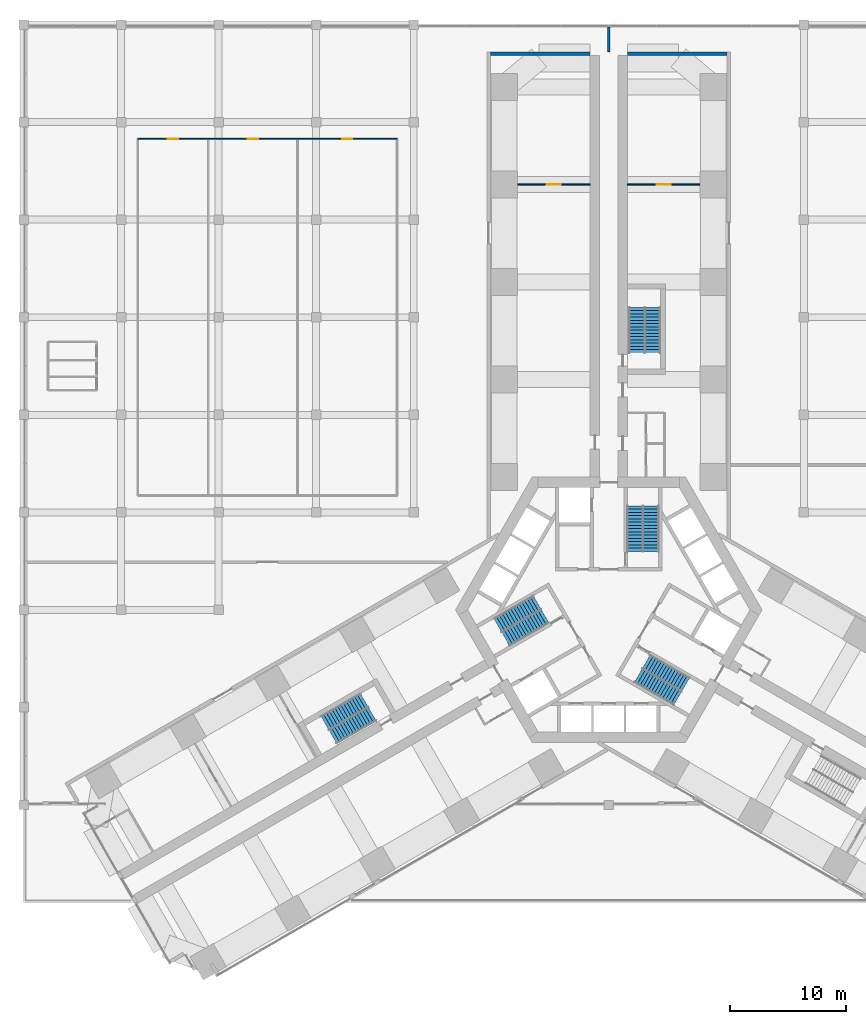
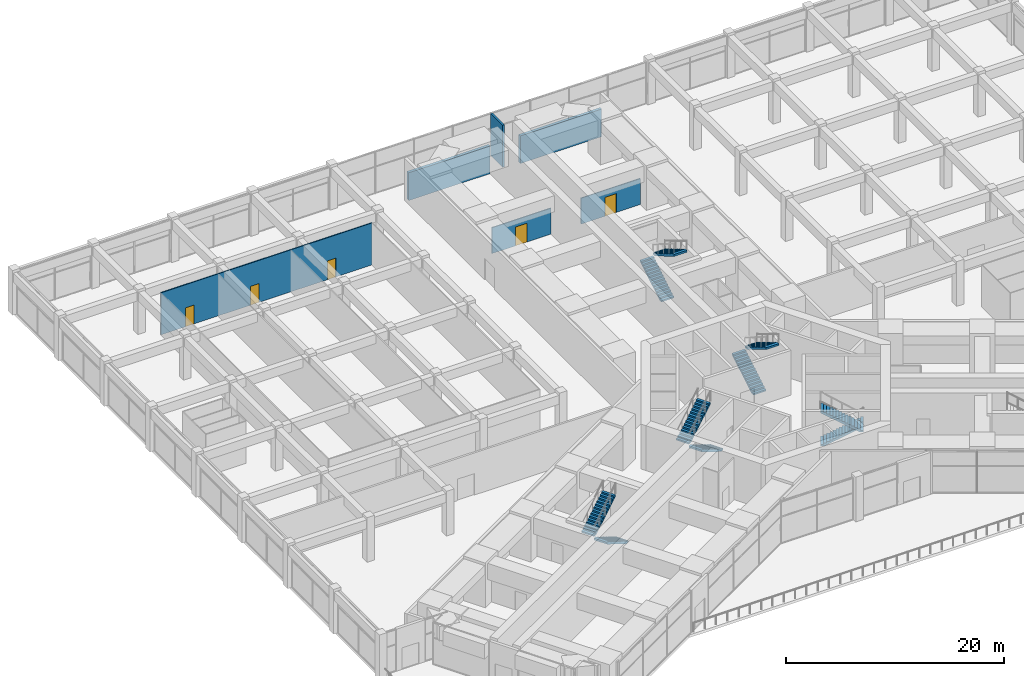
# One storey, part 32 of 34: 10 stair flights, 6 walls, 5 doors, 5 openings, 5 elements without a shape of their own.
"""IFC4 building model written with IfcOpenShell, lengths in metres."""

from ifc_helpers import new_model, si_unit, direction, frame, frame_2d, origin, place, context, subcontext, project, spatial, polyline, rectangle, outline, extrude, material, layer, layer_set, type_object, element, fill, aggregate, save


model = new_model("IFC4")

# Units and contexts
model_context = context("Model", 3, precision=1e-05, world=origin(), true_north=direction((0.0, 1.0)))
body_context = subcontext(model_context, "Body", "Model", "MODEL_VIEW")
ifc_project = project(units=[si_unit("LENGTHUNIT", "METRE"), si_unit("AREAUNIT", "SQUARE_METRE"), si_unit("VOLUMEUNIT", "CUBIC_METRE"), si_unit("PLANEANGLEUNIT", "RADIAN"), si_unit("MASSUNIT", "GRAM", prefix="KILO")], contexts=[model_context])

# Site, building, storey
site_placement = place(None, origin())
site = spatial("IfcSite", under=ifc_project, at=site_placement, CompositionType="ELEMENT")
building_placement = place(site_placement, origin())
building = spatial("IfcBuilding", under=site, at=building_placement, Name="Impinga Residences", CompositionType="ELEMENT")
storey_placement = place(building_placement, frame((0.0, 0.0, 16.0)))
storey = spatial("IfcBuildingStorey", under=building, at=storey_placement, Name="L03", CompositionType="ELEMENT", Elevation=16.0)

# Wall, opening, door
ifc_material_1 = material(Name="Concrete blockwork", Category="masonry")
ifc_layer_1 = layer(ifc_material_1, 0.10009765625)
ifc_layer_set_1 = layer_set([ifc_layer_1], Name="CP1 core room partition, blockwork 100")
wall_type_1 = type_object("IfcWallType", Name="CP1 core room partition, blockwork 100", PredefinedType="PARTITIONING", material=ifc_layer_set_1)
wall_1_placement = place(storey_placement, frame((-1.60009765625, 36.631591796875, 0.0), z_axis=(0.0, 0.0, 1.0), x_axis=(-1.0, 0.0, 0.0)))
wall_1 = element("IfcWall", 1, at=wall_1_placement, inside=storey, type_object=wall_type_1, Name="Core room partition, blockwork L03-NA1:PS1", PredefinedType="PARTITIONING", context=body_context, shape_type="SweptSolid", body=[
    extrude(rectangle(XDim=6.25, YDim=0.10009765625, at=frame_2d((3.125, 0.0))), origin(), (0.0, 0.0, 1.0), 2.89990234375),
])
opening_1_placement = place(wall_1_placement, frame((2.52490234375, 0.0, 0.0)))
opening_1 = element("IfcOpeningElement", 2, at=opening_1_placement, cuts=wall_1, Name="Opening D3", PredefinedType="OPENING", context=body_context, shape_type="SweptSolid", body=[
    extrude(rectangle(XDim=1.199951171875, YDim=2.10009765625, at=frame_2d((0.60009765625, 1.050048828125))), frame((0.0, 0.06005859375, 0.0), z_axis=(0.0, -1.0, 0.0), x_axis=(1.0, 0.0, 0.0)), (0.0, 0.0, 1.0), 0.1201171875),
])
ifc_material_2 = material(Name="Timber door set", Category="wood")
door_type_1 = type_object("IfcDoorType", Name="D3 room door, leaf and a half 1200x2100", OperationType="DOUBLE_SWING_LEFT", PredefinedType="DOOR", material=ifc_material_2)
door_1_placement = place(opening_1_placement, origin())
door_1 = element("IfcDoor", 3, at=door_1_placement, inside=storey, type_object=door_type_1, Name="Meeting room door L03-NA1", OperationType="DOUBLE_SWING_LEFT", OverallHeight=2.10009765625, OverallWidth=1.199951171875, PredefinedType="DOOR", context=body_context, shape_type="SweptSolid", body=[
    extrude(rectangle(XDim=1.199951171875, YDim=2.10009765625, at=frame_2d((0.60009765625, 1.050048828125))), frame((0.0, 0.02490234375, 0.0), z_axis=(0.0, -1.0, 0.0), x_axis=(1.0, 0.0, 0.0)), (0.0, 0.0, 1.0), 0.050048828125),
])
fill(opening_1, door_1)

wall_2_placement = place(storey_placement, frame((1.60009765625, 36.631591796875, 0.0), z_axis=(0.0, 0.0, 1.0), x_axis=(1.0, 0.0, 0.0)))
wall_2 = element("IfcWall", 4, at=wall_2_placement, inside=storey, type_object=wall_type_1, Name="Core room partition, blockwork L03-NF1:PS1", PredefinedType="PARTITIONING", context=body_context, shape_type="SweptSolid", body=[
    extrude(rectangle(XDim=6.25, YDim=0.10009765625, at=frame_2d((3.125, 0.0))), origin(), (0.0, 0.0, 1.0), 2.89990234375),
])
opening_2_placement = place(wall_2_placement, frame((2.52490234375, 0.0, 0.0)))
opening_2 = element("IfcOpeningElement", 5, at=opening_2_placement, cuts=wall_2, Name="Opening D3", PredefinedType="OPENING", context=body_context, shape_type="SweptSolid", body=[
    extrude(rectangle(XDim=1.199951171875, YDim=2.10009765625, at=frame_2d((0.60009765625, 1.050048828125))), frame((0.0, 0.06005859375, 0.0), z_axis=(0.0, -1.0, 0.0), x_axis=(1.0, 0.0, 0.0)), (0.0, 0.0, 1.0), 0.1201171875),
])
door_2_placement = place(opening_2_placement, origin())
door_2 = element("IfcDoor", 6, at=door_2_placement, inside=storey, type_object=door_type_1, Name="Music room door L03-NF1", OperationType="DOUBLE_SWING_LEFT", OverallHeight=2.10009765625, OverallWidth=1.199951171875, PredefinedType="DOOR", context=body_context, shape_type="SweptSolid", body=[
    extrude(rectangle(XDim=1.199951171875, YDim=2.10009765625, at=frame_2d((0.60009765625, 1.050048828125))), frame((0.0, 0.02490234375, 0.0), z_axis=(0.0, -1.0, 0.0), x_axis=(1.0, 0.0, 0.0)), (0.0, 0.0, 1.0), 0.050048828125),
])
fill(opening_2, door_2)

# Wall, openings, doors
ifc_material_3 = material(Name="Gypsum board on steel studs", Category="steel")
ifc_layer_2 = layer(ifc_material_3, 0.10009765625)
ifc_layer_set_2 = layer_set([ifc_layer_2], Name="Gypsum board on steel studs")
wall_type_2 = type_object("IfcWallType", Name="IP1 partition 100", PredefinedType="PARTITIONING", material=ifc_layer_set_2)
wall_3_placement = place(storey_placement, frame((-18.239990234375, 40.56005859375, 0.0), z_axis=(0.0, 0.0, 1.0), x_axis=(-1.0, 0.0, 0.0)))
wall_3 = element("IfcWall", 7, at=wall_3_placement, inside=storey, type_object=wall_type_2, Name="Partition L03:REG:NW:BLKN", PredefinedType="PARTITIONING", context=body_context, shape_type="SweptSolid", body=[
    extrude(rectangle(XDim=22.320068359375, YDim=0.10009765625, at=frame_2d((11.16015625, 0.0))), origin(), (0.0, 0.0, 1.0), 4.699951171875),
])
opening_3_placement = place(wall_3_placement, frame((18.840087890625, 0.0, 0.0)))
opening_3 = element("IfcOpeningElement", 8, at=opening_3_placement, cuts=wall_3, Name="Opening D2", PredefinedType="OPENING", context=body_context, shape_type="SweptSolid", body=[
    extrude(rectangle(XDim=0.89990234375, YDim=2.10009765625, at=frame_2d((0.449951171875, 1.050048828125))), frame((0.0, 0.06005859375, 0.0), z_axis=(0.0, -1.0, 0.0), x_axis=(1.0, 0.0, 0.0)), (0.0, 0.0, 1.0), 0.1201171875),
])
opening_4_placement = place(wall_3_placement, frame((11.967529296875, 0.0, 0.0)))
opening_4 = element("IfcOpeningElement", 9, at=opening_4_placement, cuts=wall_3, Name="Opening D2", PredefinedType="OPENING", context=body_context, shape_type="SweptSolid", body=[
    extrude(rectangle(XDim=0.89990234375, YDim=2.10009765625, at=frame_2d((0.449951171875, 1.050048828125))), frame((0.0, 0.06005859375, 0.0), z_axis=(0.0, -1.0, 0.0), x_axis=(1.0, 0.0, 0.0)), (0.0, 0.0, 1.0), 0.1201171875),
])
opening_5_placement = place(wall_3_placement, frame((3.83740234375, 0.0, 0.0)))
opening_5 = element("IfcOpeningElement", 10, at=opening_5_placement, cuts=wall_3, Name="Opening D2", PredefinedType="OPENING", context=body_context, shape_type="SweptSolid", body=[
    extrude(rectangle(XDim=0.89990234375, YDim=2.10009765625, at=frame_2d((0.449951171875, 1.050048828125))), frame((0.0, 0.06005859375, 0.0), z_axis=(0.0, -1.0, 0.0), x_axis=(1.0, 0.0, 0.0)), (0.0, 0.0, 1.0), 0.1201171875),
])
door_type_2 = type_object("IfcDoorType", Name="D2 internal door 900x2100", OperationType="SINGLE_SWING_LEFT", PredefinedType="DOOR", material=ifc_material_2)
door_3_placement = place(opening_3_placement, origin())
door_3 = element("IfcDoor", 11, at=door_3_placement, inside=storey, type_object=door_type_2, Name="Music room door", OperationType="SINGLE_SWING_RIGHT", OverallHeight=2.10009765625, OverallWidth=0.89990234375, PredefinedType="DOOR", context=body_context, shape_type="SweptSolid", body=[
    extrude(rectangle(XDim=0.89990234375, YDim=2.10009765625, at=frame_2d((0.449951171875, 1.050048828125))), frame((0.0, 0.02490234375, 0.0), z_axis=(0.0, -1.0, 0.0), x_axis=(1.0, 0.0, 0.0)), (0.0, 0.0, 1.0), 0.050048828125),
])
fill(opening_3, door_3)
door_4_placement = place(opening_4_placement, origin())
door_4 = element("IfcDoor", 12, at=door_4_placement, inside=storey, type_object=door_type_2, Name="Studio door", OperationType="SINGLE_SWING_RIGHT", OverallHeight=2.10009765625, OverallWidth=0.89990234375, PredefinedType="DOOR", context=body_context, shape_type="SweptSolid", body=[
    extrude(rectangle(XDim=0.89990234375, YDim=2.10009765625, at=frame_2d((0.449951171875, 1.050048828125))), frame((0.0, 0.02490234375, 0.0), z_axis=(0.0, -1.0, 0.0), x_axis=(1.0, 0.0, 0.0)), (0.0, 0.0, 1.0), 0.050048828125),
])
fill(opening_4, door_4)
door_5_placement = place(opening_5_placement, origin())
door_5 = element("IfcDoor", 13, at=door_5_placement, inside=storey, type_object=door_type_2, Name="Business centre door", OperationType="SINGLE_SWING_LEFT", OverallHeight=2.10009765625, OverallWidth=0.89990234375, PredefinedType="DOOR", context=body_context, shape_type="SweptSolid", body=[
    extrude(rectangle(XDim=0.89990234375, YDim=2.10009765625, at=frame_2d((0.449951171875, 1.050048828125))), frame((0.0, 0.02490234375, 0.0), z_axis=(0.0, -1.0, 0.0), x_axis=(1.0, 0.0, 0.0)), (0.0, 0.0, 1.0), 0.050048828125),
])
fill(opening_5, door_5)

# Walls
ifc_layer_3 = layer(ifc_material_1, 0.199951171875)
ifc_layer_set_3 = layer_set([ifc_layer_3], Name="PW2 podium compartment wall 200")
wall_type_3 = type_object("IfcWallType", Name="PW2 podium compartment wall 200", PredefinedType="SOLIDWALL", material=ifc_layer_set_3)
wall_4_placement = place(storey_placement, frame((0.0, 48.031494140625, 0.0), z_axis=(0.0, 0.0, 1.0), x_axis=(0.0, 1.0, 0.0)))
element("IfcWall", 14, at=wall_4_placement, inside=storey, type_object=wall_type_3, Name="Podium compartment wall L03:REG:N", PredefinedType="SOLIDWALL", context=body_context, shape_type="SweptSolid", body=[
    extrude(rectangle(XDim=2.175537109375, YDim=0.199951171875, at=frame_2d((1.087890625, 0.0))), origin(), (0.0, 0.0, 1.0), 4.699951171875),
])
ifc_layer_4 = layer(ifc_material_1, 0.300048828125)
ifc_layer_set_4 = layer_set([ifc_layer_4], Name="PW3 podium wall on the wing face 300")
wall_type_4 = type_object("IfcWallType", Name="PW3 podium wall on the wing face 300", PredefinedType="SOLIDWALL", material=ifc_layer_set_4)
for number, where, z_axis, x_axis, name in (
    (15, (-1.60009765625, 47.881591796875, 0.0), (0.0, 0.0, 1.0), (-1.0, 0.0, 0.0), "Podium wall on the wing face L03:END:NA"),
    (16, (1.60009765625, 47.881591796875, 0.0), (0.0, 0.0, 1.0), (1.0, 0.0, 0.0), "Podium wall on the wing face L03:END:NF"),
):
    element("IfcWall", number, at=place(storey_placement, frame(where, z_axis=z_axis, x_axis=x_axis)), inside=storey, type_object=wall_type_4, Name=name, PredefinedType="SOLIDWALL", context=body_context, shape_type="SweptSolid", body=[
        extrude(rectangle(XDim=8.599853515625, YDim=0.300048828125, at=frame_2d((4.2998046875, 0.0))), origin(), (0.0, 0.0, 1.0), 3.10009765625),
    ])

# Stair, stair flights
ifc_material_4 = material(Name="Concrete C40/50", Category="concrete")
stair_type_1 = type_object("IfcStairType", Name="STR core stair 5000 storey, 30 risers", PredefinedType="HALF_TURN_STAIR", material=ifc_material_4)
stair_1_placement = place(storey_placement, origin())
stair_1 = element("IfcStair", 17, at=stair_1_placement, inside=storey, type_object=stair_type_1, Name="Stair ST1 L03", PredefinedType="HALF_TURN_STAIR")
stair_flight_type = type_object("IfcStairFlightType", Name="SF 15 risers of 167", PredefinedType="STRAIGHT", material=ifc_material_4)
stair_flight_1_placement = place(storey_placement, frame((2.27490234375, 5.030029296875, 0.0), z_axis=(0.0, 0.0, 1.0), x_axis=(0.0, 1.0, 0.0)))
stair_flight_1 = element("IfcStairFlight", 18, at=stair_flight_1_placement, type_object=stair_flight_type, Name="ST1 flight 1", NumberOfRisers=15, NumberOfTreads=14, PredefinedType="STRAIGHT", RiserHeight=0.166666667, TreadLength=0.28, context=body_context, shape_type="SweptSolid", body=[
    extrude(outline(polyline([(0.0, 0.0), (0.0, 0.166748046875), (0.280029296875, 0.166748046875), (0.280029296875, 0.333251953125), (0.56005859375, 0.333251953125), (0.56005859375, 0.5), (0.840087890625, 0.5), (0.840087890625, 0.666748046875), (1.1201171875, 0.666748046875), (1.1201171875, 0.833251953125), (1.39990234375, 0.833251953125), (1.39990234375, 1.0), (1.679931640625, 1.0), (1.679931640625, 1.166748046875), (1.9599609375, 1.166748046875), (1.9599609375, 1.333251953125), (2.239990234375, 1.333251953125), (2.239990234375, 1.5), (2.52001953125, 1.5), (2.52001953125, 1.666748046875), (2.800048828125, 1.666748046875), (2.800048828125, 1.833251953125), (3.080078125, 1.833251953125), (3.080078125, 2.0), (3.360107421875, 2.0), (3.360107421875, 2.166748046875), (3.639892578125, 2.166748046875), (3.639892578125, 2.333251953125), (3.919921875, 2.333251953125), (3.919921875, 2.5), (3.919921875, 2.1240234375), (0.351806640625, 0.0), (0.0, 0.0)])), frame((0.0, 0.675048828125, 0.0), z_axis=(0.0, -1.0, 0.0), x_axis=(1.0, 0.0, 0.0)), (0.0, 0.0, 1.0), 1.35009765625),
])
stair_flight_2_placement = place(storey_placement, frame((3.625, 8.949951171875, 2.5), z_axis=(0.0, 0.0, 1.0), x_axis=(0.0, -1.0, 0.0)))
stair_flight_2 = element("IfcStairFlight", 19, at=stair_flight_2_placement, type_object=stair_flight_type, Name="ST1 flight 2", NumberOfRisers=15, NumberOfTreads=14, PredefinedType="STRAIGHT", RiserHeight=0.166666667, TreadLength=0.28, context=body_context, shape_type="SweptSolid", body=[
    extrude(outline(polyline([(0.0, 0.0), (0.0, 0.166748046875), (0.280029296875, 0.166748046875), (0.280029296875, 0.333251953125), (0.56005859375, 0.333251953125), (0.56005859375, 0.5), (0.840087890625, 0.5), (0.840087890625, 0.666748046875), (1.1201171875, 0.666748046875), (1.1201171875, 0.833251953125), (1.39990234375, 0.833251953125), (1.39990234375, 1.0), (1.679931640625, 1.0), (1.679931640625, 1.166748046875), (1.9599609375, 1.166748046875), (1.9599609375, 1.333251953125), (2.239990234375, 1.333251953125), (2.239990234375, 1.5), (2.52001953125, 1.5), (2.52001953125, 1.666748046875), (2.800048828125, 1.666748046875), (2.800048828125, 1.833251953125), (3.080078125, 1.833251953125), (3.080078125, 2.0), (3.360107421875, 2.0), (3.360107421875, 2.166748046875), (3.639892578125, 2.166748046875), (3.639892578125, 2.333251953125), (3.919921875, 2.333251953125), (3.919921875, 2.5), (3.919921875, 2.1240234375), (0.351806640625, 0.0), (0.0, 0.0)])), frame((0.0, 0.675048828125, 0.0), z_axis=(0.0, -1.0, 0.0), x_axis=(1.0, 0.0, 0.0)), (0.0, 0.0, 1.0), 1.35009765625),
])
aggregate(stair_1, [stair_flight_1, stair_flight_2])

stair_2_placement = place(storey_placement, origin())
stair_2 = element("IfcStair", 20, at=stair_2_placement, inside=storey, type_object=stair_type_1, Name="Stair ST2 L03", PredefinedType="HALF_TURN_STAIR")
stair_flight_3_placement = place(storey_placement, frame((-5.49365234375, -0.544677734375, 0.0), z_axis=(0.0, 0.0, 1.0), x_axis=(-0.866025403784, -0.5, 0.0)))
stair_flight_3 = element("IfcStairFlight", 21, at=stair_flight_3_placement, type_object=stair_flight_type, Name="ST2 flight 1", NumberOfRisers=15, NumberOfTreads=14, PredefinedType="STRAIGHT", RiserHeight=0.166666667, TreadLength=0.28, context=body_context, shape_type="SweptSolid", body=[
    extrude(outline(polyline([(0.0, 0.0), (0.0, 0.166748046875), (0.280029296875, 0.166748046875), (0.280029296875, 0.333251953125), (0.56005859375, 0.333251953125), (0.56005859375, 0.5), (0.840087890625, 0.5), (0.840087890625, 0.666748046875), (1.1201171875, 0.666748046875), (1.1201171875, 0.833251953125), (1.39990234375, 0.833251953125), (1.39990234375, 1.0), (1.679931640625, 1.0), (1.679931640625, 1.166748046875), (1.9599609375, 1.166748046875), (1.9599609375, 1.333251953125), (2.239990234375, 1.333251953125), (2.239990234375, 1.5), (2.52001953125, 1.5), (2.52001953125, 1.666748046875), (2.800048828125, 1.666748046875), (2.800048828125, 1.833251953125), (3.080078125, 1.833251953125), (3.080078125, 2.0), (3.360107421875, 2.0), (3.360107421875, 2.166748046875), (3.639892578125, 2.166748046875), (3.639892578125, 2.333251953125), (3.919921875, 2.333251953125), (3.919921875, 2.5), (3.919921875, 2.1240234375), (0.351806640625, 0.0), (0.0, 0.0)])), frame((0.0, 0.675048828125, 0.0), z_axis=(0.0, -1.0, 0.0), x_axis=(1.0, 0.0, 0.0)), (0.0, 0.0, 1.0), 1.35009765625),
])
stair_flight_4_placement = place(storey_placement, frame((-9.5634765625, -1.335693359375, 2.5), z_axis=(0.0, 0.0, 1.0), x_axis=(0.866025403784, 0.5, 0.0)))
stair_flight_4 = element("IfcStairFlight", 22, at=stair_flight_4_placement, type_object=stair_flight_type, Name="ST2 flight 2", NumberOfRisers=15, NumberOfTreads=14, PredefinedType="STRAIGHT", RiserHeight=0.166666667, TreadLength=0.28, context=body_context, shape_type="SweptSolid", body=[
    extrude(outline(polyline([(0.0, 0.0), (0.0, 0.166748046875), (0.280029296875, 0.166748046875), (0.280029296875, 0.333251953125), (0.56005859375, 0.333251953125), (0.56005859375, 0.5), (0.840087890625, 0.5), (0.840087890625, 0.666748046875), (1.1201171875, 0.666748046875), (1.1201171875, 0.833251953125), (1.39990234375, 0.833251953125), (1.39990234375, 1.0), (1.679931640625, 1.0), (1.679931640625, 1.166748046875), (1.9599609375, 1.166748046875), (1.9599609375, 1.333251953125), (2.239990234375, 1.333251953125), (2.239990234375, 1.5), (2.52001953125, 1.5), (2.52001953125, 1.666748046875), (2.800048828125, 1.666748046875), (2.800048828125, 1.833251953125), (3.080078125, 1.833251953125), (3.080078125, 2.0), (3.360107421875, 2.0), (3.360107421875, 2.166748046875), (3.639892578125, 2.166748046875), (3.639892578125, 2.333251953125), (3.919921875, 2.333251953125), (3.919921875, 2.5), (3.919921875, 2.1240234375), (0.351806640625, 0.0), (0.0, 0.0)])), frame((0.0, 0.675048828125, 0.0), z_axis=(0.0, -1.0, 0.0), x_axis=(1.0, 0.0, 0.0)), (0.0, 0.0, 1.0), 1.35009765625),
])
aggregate(stair_2, [stair_flight_3, stair_flight_4])

stair_3_placement = place(storey_placement, origin())
stair_3 = element("IfcStair", 23, at=stair_3_placement, inside=storey, type_object=stair_type_1, Name="Stair ST3 L03", PredefinedType="HALF_TURN_STAIR")
stair_flight_5_placement = place(storey_placement, frame((3.218505859375, -4.485107421875, 0.0), z_axis=(0.0, 0.0, 1.0), x_axis=(0.866025403784, -0.5, 0.0)))
stair_flight_5 = element("IfcStairFlight", 24, at=stair_flight_5_placement, type_object=stair_flight_type, Name="ST3 flight 1", NumberOfRisers=15, NumberOfTreads=14, PredefinedType="STRAIGHT", RiserHeight=0.166666667, TreadLength=0.28, context=body_context, shape_type="SweptSolid", body=[
    extrude(outline(polyline([(0.0, 0.0), (0.0, 0.166748046875), (0.280029296875, 0.166748046875), (0.280029296875, 0.333251953125), (0.56005859375, 0.333251953125), (0.56005859375, 0.5), (0.840087890625, 0.5), (0.840087890625, 0.666748046875), (1.1201171875, 0.666748046875), (1.1201171875, 0.833251953125), (1.39990234375, 0.833251953125), (1.39990234375, 1.0), (1.679931640625, 1.0), (1.679931640625, 1.166748046875), (1.9599609375, 1.166748046875), (1.9599609375, 1.333251953125), (2.239990234375, 1.333251953125), (2.239990234375, 1.5), (2.52001953125, 1.5), (2.52001953125, 1.666748046875), (2.800048828125, 1.666748046875), (2.800048828125, 1.833251953125), (3.080078125, 1.833251953125), (3.080078125, 2.0), (3.360107421875, 2.0), (3.360107421875, 2.166748046875), (3.639892578125, 2.166748046875), (3.639892578125, 2.333251953125), (3.919921875, 2.333251953125), (3.919921875, 2.5), (3.919921875, 2.1240234375), (0.351806640625, 0.0), (0.0, 0.0)])), frame((0.0, 0.675048828125, 0.0), z_axis=(0.0, -1.0, 0.0), x_axis=(1.0, 0.0, 0.0)), (0.0, 0.0, 1.0), 1.35009765625),
])
stair_flight_6_placement = place(storey_placement, frame((5.9384765625, -7.6142578125, 2.5), z_axis=(0.0, 0.0, 1.0), x_axis=(-0.866025403784, 0.5, 0.0)))
stair_flight_6 = element("IfcStairFlight", 25, at=stair_flight_6_placement, type_object=stair_flight_type, Name="ST3 flight 2", NumberOfRisers=15, NumberOfTreads=14, PredefinedType="STRAIGHT", RiserHeight=0.166666667, TreadLength=0.28, context=body_context, shape_type="SweptSolid", body=[
    extrude(outline(polyline([(0.0, 0.0), (0.0, 0.166748046875), (0.280029296875, 0.166748046875), (0.280029296875, 0.333251953125), (0.56005859375, 0.333251953125), (0.56005859375, 0.5), (0.840087890625, 0.5), (0.840087890625, 0.666748046875), (1.1201171875, 0.666748046875), (1.1201171875, 0.833251953125), (1.39990234375, 0.833251953125), (1.39990234375, 1.0), (1.679931640625, 1.0), (1.679931640625, 1.166748046875), (1.9599609375, 1.166748046875), (1.9599609375, 1.333251953125), (2.239990234375, 1.333251953125), (2.239990234375, 1.5), (2.52001953125, 1.5), (2.52001953125, 1.666748046875), (2.800048828125, 1.666748046875), (2.800048828125, 1.833251953125), (3.080078125, 1.833251953125), (3.080078125, 2.0), (3.360107421875, 2.0), (3.360107421875, 2.166748046875), (3.639892578125, 2.166748046875), (3.639892578125, 2.333251953125), (3.919921875, 2.333251953125), (3.919921875, 2.5), (3.919921875, 2.1240234375), (0.351806640625, 0.0), (0.0, 0.0)])), frame((0.0, 0.675048828125, 0.0), z_axis=(0.0, -1.0, 0.0), x_axis=(1.0, 0.0, 0.0)), (0.0, 0.0, 1.0), 1.35009765625),
])
aggregate(stair_3, [stair_flight_5, stair_flight_6])

stair_type_2 = type_object("IfcStairType", Name="STR wing stair 5000 storey, 30 risers", PredefinedType="HALF_TURN_STAIR", material=ifc_material_4)
stair_4_placement = place(storey_placement, origin())
stair_4 = element("IfcStair", 26, at=stair_4_placement, inside=storey, type_object=stair_type_2, Name="Stair WS1 L03", PredefinedType="HALF_TURN_STAIR")
stair_flight_7_placement = place(storey_placement, frame((2.425048828125, 22.131591796875, 0.0), z_axis=(0.0, 0.0, 1.0), x_axis=(0.0, 1.0, 0.0)))
stair_flight_7 = element("IfcStairFlight", 27, at=stair_flight_7_placement, type_object=stair_flight_type, Name="WS1 flight 1", NumberOfRisers=15, NumberOfTreads=14, PredefinedType="STRAIGHT", RiserHeight=0.166666667, TreadLength=0.28, context=body_context, shape_type="SweptSolid", body=[
    extrude(outline(polyline([(0.0, 0.0), (0.0, 0.166748046875), (0.280029296875, 0.166748046875), (0.280029296875, 0.333251953125), (0.56005859375, 0.333251953125), (0.56005859375, 0.5), (0.840087890625, 0.5), (0.840087890625, 0.666748046875), (1.1201171875, 0.666748046875), (1.1201171875, 0.833251953125), (1.39990234375, 0.833251953125), (1.39990234375, 1.0), (1.679931640625, 1.0), (1.679931640625, 1.166748046875), (1.9599609375, 1.166748046875), (1.9599609375, 1.333251953125), (2.239990234375, 1.333251953125), (2.239990234375, 1.5), (2.52001953125, 1.5), (2.52001953125, 1.666748046875), (2.800048828125, 1.666748046875), (2.800048828125, 1.833251953125), (3.080078125, 1.833251953125), (3.080078125, 2.0), (3.360107421875, 2.0), (3.360107421875, 2.166748046875), (3.639892578125, 2.166748046875), (3.639892578125, 2.333251953125), (3.919921875, 2.333251953125), (3.919921875, 2.5), (3.919921875, 2.1240234375), (0.351806640625, 0.0), (0.0, 0.0)])), frame((0.0, 0.675048828125, 0.0), z_axis=(0.0, -1.0, 0.0), x_axis=(1.0, 0.0, 0.0)), (0.0, 0.0, 1.0), 1.35009765625),
])
stair_flight_8_placement = place(storey_placement, frame((3.77490234375, 26.051513671875, 2.5), z_axis=(0.0, 0.0, 1.0), x_axis=(0.0, -1.0, 0.0)))
stair_flight_8 = element("IfcStairFlight", 28, at=stair_flight_8_placement, type_object=stair_flight_type, Name="WS1 flight 2", NumberOfRisers=15, NumberOfTreads=14, PredefinedType="STRAIGHT", RiserHeight=0.166666667, TreadLength=0.28, context=body_context, shape_type="SweptSolid", body=[
    extrude(outline(polyline([(0.0, 0.0), (0.0, 0.166748046875), (0.280029296875, 0.166748046875), (0.280029296875, 0.333251953125), (0.56005859375, 0.333251953125), (0.56005859375, 0.5), (0.840087890625, 0.5), (0.840087890625, 0.666748046875), (1.1201171875, 0.666748046875), (1.1201171875, 0.833251953125), (1.39990234375, 0.833251953125), (1.39990234375, 1.0), (1.679931640625, 1.0), (1.679931640625, 1.166748046875), (1.9599609375, 1.166748046875), (1.9599609375, 1.333251953125), (2.239990234375, 1.333251953125), (2.239990234375, 1.5), (2.52001953125, 1.5), (2.52001953125, 1.666748046875), (2.800048828125, 1.666748046875), (2.800048828125, 1.833251953125), (3.080078125, 1.833251953125), (3.080078125, 2.0), (3.360107421875, 2.0), (3.360107421875, 2.166748046875), (3.639892578125, 2.166748046875), (3.639892578125, 2.333251953125), (3.919921875, 2.333251953125), (3.919921875, 2.5), (3.919921875, 2.1240234375), (0.351806640625, 0.0), (0.0, 0.0)])), frame((0.0, 0.675048828125, 0.0), z_axis=(0.0, -1.0, 0.0), x_axis=(1.0, 0.0, 0.0)), (0.0, 0.0, 1.0), 1.35009765625),
])
aggregate(stair_4, [stair_flight_7, stair_flight_8])

stair_5_placement = place(storey_placement, origin())
stair_5 = element("IfcStair", 29, at=stair_5_placement, inside=storey, type_object=stair_type_2, Name="Stair WS2 L03", PredefinedType="HALF_TURN_STAIR")
stair_flight_9_placement = place(storey_placement, frame((-20.37890625, -8.965576171875, 0.0), z_axis=(0.0, 0.0, 1.0), x_axis=(-0.866025403784, -0.5, 0.0)))
stair_flight_9 = element("IfcStairFlight", 30, at=stair_flight_9_placement, type_object=stair_flight_type, Name="WS2 flight 1", NumberOfRisers=15, NumberOfTreads=14, PredefinedType="STRAIGHT", RiserHeight=0.166666667, TreadLength=0.28, context=body_context, shape_type="SweptSolid", body=[
    extrude(outline(polyline([(0.0, 0.0), (0.0, 0.166748046875), (0.280029296875, 0.166748046875), (0.280029296875, 0.333251953125), (0.56005859375, 0.333251953125), (0.56005859375, 0.5), (0.840087890625, 0.5), (0.840087890625, 0.666748046875), (1.1201171875, 0.666748046875), (1.1201171875, 0.833251953125), (1.39990234375, 0.833251953125), (1.39990234375, 1.0), (1.679931640625, 1.0), (1.679931640625, 1.166748046875), (1.9599609375, 1.166748046875), (1.9599609375, 1.333251953125), (2.239990234375, 1.333251953125), (2.239990234375, 1.5), (2.52001953125, 1.5), (2.52001953125, 1.666748046875), (2.800048828125, 1.666748046875), (2.800048828125, 1.833251953125), (3.080078125, 1.833251953125), (3.080078125, 2.0), (3.360107421875, 2.0), (3.360107421875, 2.166748046875), (3.639892578125, 2.166748046875), (3.639892578125, 2.333251953125), (3.919921875, 2.333251953125), (3.919921875, 2.5), (3.919921875, 2.1240234375), (0.351806640625, 0.0), (0.0, 0.0)])), frame((0.0, 0.675048828125, 0.0), z_axis=(0.0, -1.0, 0.0), x_axis=(1.0, 0.0, 0.0)), (0.0, 0.0, 1.0), 1.35009765625),
])
stair_flight_10_placement = place(storey_placement, frame((-24.44873046875, -9.756591796875, 2.5), z_axis=(0.0, 0.0, 1.0), x_axis=(0.866025403784, 0.5, 0.0)))
stair_flight_10 = element("IfcStairFlight", 31, at=stair_flight_10_placement, type_object=stair_flight_type, Name="WS2 flight 2", NumberOfRisers=15, NumberOfTreads=14, PredefinedType="STRAIGHT", RiserHeight=0.166666667, TreadLength=0.28, context=body_context, shape_type="SweptSolid", body=[
    extrude(outline(polyline([(0.0, 0.0), (0.0, 0.166748046875), (0.280029296875, 0.166748046875), (0.280029296875, 0.333251953125), (0.56005859375, 0.333251953125), (0.56005859375, 0.5), (0.840087890625, 0.5), (0.840087890625, 0.666748046875), (1.1201171875, 0.666748046875), (1.1201171875, 0.833251953125), (1.39990234375, 0.833251953125), (1.39990234375, 1.0), (1.679931640625, 1.0), (1.679931640625, 1.166748046875), (1.9599609375, 1.166748046875), (1.9599609375, 1.333251953125), (2.239990234375, 1.333251953125), (2.239990234375, 1.5), (2.52001953125, 1.5), (2.52001953125, 1.666748046875), (2.800048828125, 1.666748046875), (2.800048828125, 1.833251953125), (3.080078125, 1.833251953125), (3.080078125, 2.0), (3.360107421875, 2.0), (3.360107421875, 2.166748046875), (3.639892578125, 2.166748046875), (3.639892578125, 2.333251953125), (3.919921875, 2.333251953125), (3.919921875, 2.5), (3.919921875, 2.1240234375), (0.351806640625, 0.0), (0.0, 0.0)])), frame((0.0, 0.675048828125, 0.0), z_axis=(0.0, -1.0, 0.0), x_axis=(1.0, 0.0, 0.0)), (0.0, 0.0, 1.0), 1.35009765625),
])
aggregate(stair_5, [stair_flight_9, stair_flight_10])

save(model, "model.ifc")
